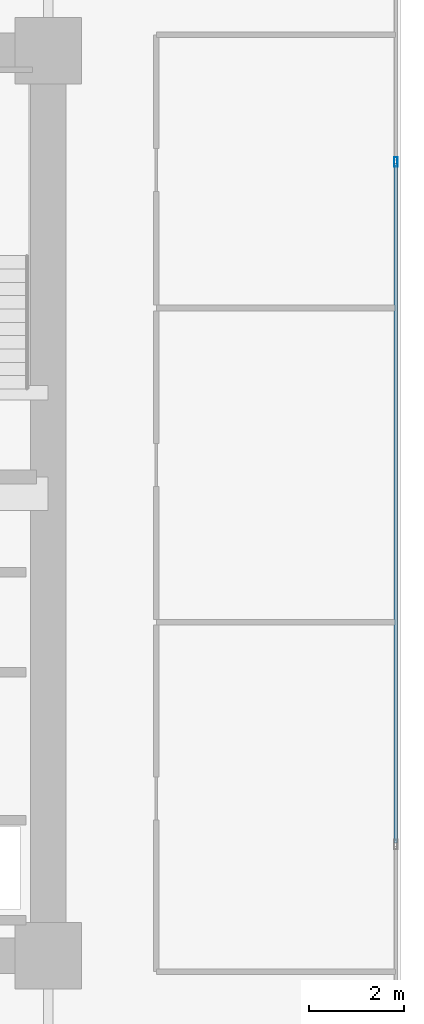
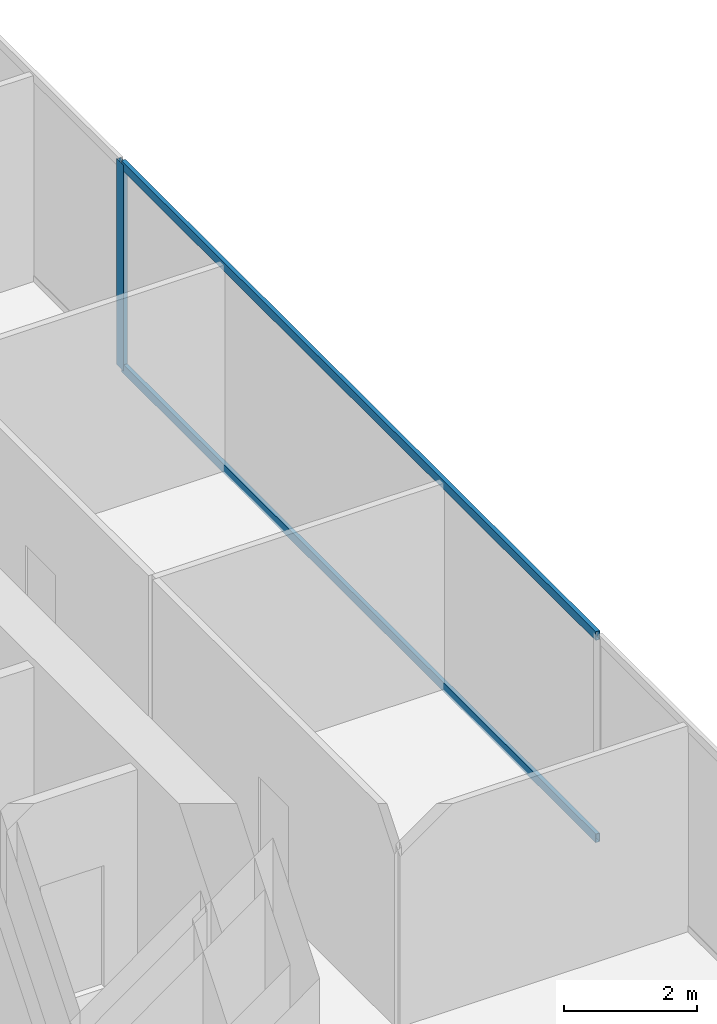
# One storey, part 25 of 35: 3 members, 1 element without a shape of its own.
"""IFC4 building model written with IfcOpenShell, lengths in metres."""

from ifc_helpers import new_model, si_unit, direction, frame, origin, origin_2d, place, context, subcontext, project, spatial, hollow_rectangle, extrude, source, transform, mapped, material, layer, layer_set, material_profile, profile_set, type_object, type_shapes, element, aggregate, save


model = new_model("IFC4")

# Units and contexts
model_context = context("Model", 3, precision=1e-05, world=origin(), true_north=direction((0.0, 1.0)))
body_context = subcontext(model_context, "Body", "Model", "MODEL_VIEW")
ifc_project = project(units=[si_unit("LENGTHUNIT", "METRE"), si_unit("AREAUNIT", "SQUARE_METRE"), si_unit("VOLUMEUNIT", "CUBIC_METRE"), si_unit("PLANEANGLEUNIT", "RADIAN"), si_unit("MASSUNIT", "GRAM", prefix="KILO")], contexts=[model_context])

# Site, building, storey
site_placement = place(None, origin())
site = spatial("IfcSite", under=ifc_project, at=site_placement, CompositionType="ELEMENT")
building_placement = place(site_placement, origin())
building = spatial("IfcBuilding", under=site, at=building_placement, Name="Haelvirn Gate Laboratories", CompositionType="ELEMENT")
storey_placement = place(building_placement, frame((0.0, 0.0, 70.300048828125)))
storey = spatial("IfcBuildingStorey", under=building, at=storey_placement, Name="L17", CompositionType="ELEMENT", Elevation=70.300048828125)

# Curtain wall, members
ifc_material_1 = material(Name="Anodised bronze unitised aluminium & triple low-E glass", Category="aluminium")
ifc_layer = layer(ifc_material_1, 0.18408203125, Name="CW-SYS-2")
ifc_layer_set = layer_set([ifc_layer], Name="Anodised bronze unitised aluminium & triple low-E glass")
curtain_wall_type = type_object("IfcCurtainWallType", Name="CW-SYS-2", PredefinedType="NOTDEFINED", material=ifc_layer_set)
curtain_wall_placement = place(storey_placement, origin())
curtain_wall = element("IfcCurtainWall", 1, at=curtain_wall_placement, inside=storey, type_object=curtain_wall_type, Name="L17 Unitised Curtain Wall CW-L17-P0-E07", PredefinedType="NOTDEFINED")
ifc_material_2 = material(Name="Extruded aluminium 6063-T6 (anodised bronze)", Category="aluminium")
ifc_material_profile_1 = material_profile(ifc_material_2, hollow_rectangle(XDim=0.074951171875, YDim=0.199951171875, WallThickness=0.0048828125, at=origin_2d()), Name="CWM-200x75x5")
ifc_profile_set_1 = profile_set([ifc_material_profile_1], Name="Extruded aluminium 6063-T6 (anodised bronze)")
member_type_1 = type_object("IfcMemberType", Name="CWM-T200", PredefinedType="MULLION", material=ifc_profile_set_1)
shared_shape_1 = source(origin(), body_context, "Body", "SweptSolid", [
    extrude(hollow_rectangle(XDim=0.074951171875, YDim=0.199951171875, WallThickness=0.0048828125, at=origin_2d()), origin(), (0.0, 0.0, 1.0), 3.780029296875),
])
type_shapes(member_type_1, [shared_shape_1])
member_1_placement = place(storey_placement, frame((74.699951171875, 31.466552734375, 0.0), z_axis=(0.0, 0.0, 1.0), x_axis=(-1.0, 0.0, 0.0)))
member_1 = element("IfcMember", 2, at=member_1_placement, type_object=member_type_1, Name="CW2 mullion 3", PredefinedType="MULLION", context=body_context, shape_type="MappedRepresentation", body=[
    mapped(shared_shape_1, transform((0.0, 0.0, 0.0), scale=1.0)),
])
ifc_material_profile_2 = material_profile(ifc_material_2, hollow_rectangle(XDim=0.070068359375, YDim=0.159912109375, WallThickness=0.0048828125, at=origin_2d()), Name="CWT-160x70x5")
ifc_profile_set_2 = profile_set([ifc_material_profile_2], Name="Extruded aluminium 6063-T6 (anodised bronze)")
member_type_2 = type_object("IfcMemberType", Name="CWT-T160", PredefinedType="USERDEFINED", material=ifc_profile_set_2)
shared_shape_2 = source(origin(), body_context, "Body", "SweptSolid", [
    extrude(hollow_rectangle(XDim=0.070068359375, YDim=0.159912109375, WallThickness=0.0048828125, at=origin_2d()), origin(), (0.0, 0.0, 1.0), 14.25830078125),
])
type_shapes(member_type_2, [shared_shape_2])
member_2_placement = place(storey_placement, frame((74.699951171875, 17.1708984375, 0.034912109375), z_axis=(0.0, 1.0, 0.0), x_axis=(-1.0, 0.0, 0.0)))
member_2 = element("IfcMember", 3, at=member_2_placement, type_object=member_type_2, Name="CW2 transom 2.1", ObjectType="TRANSOM", PredefinedType="USERDEFINED", context=body_context, shape_type="MappedRepresentation", body=[
    mapped(shared_shape_2, transform((0.0, 0.0, 0.0), scale=1.0)),
])
member_3_placement = place(storey_placement, frame((74.699951171875, 17.1708984375, 3.744873046875), z_axis=(0.0, 1.0, 0.0), x_axis=(-1.0, 0.0, 0.0)))
member_3 = element("IfcMember", 4, at=member_3_placement, type_object=member_type_2, Name="CW2 transom 2.2", ObjectType="TRANSOM", PredefinedType="USERDEFINED", context=body_context, shape_type="MappedRepresentation", body=[
    mapped(shared_shape_2, transform((0.0, 0.0, 0.0), scale=1.0)),
])
aggregate(curtain_wall, [member_1, member_2, member_3])

save(model, "model.ifc")
